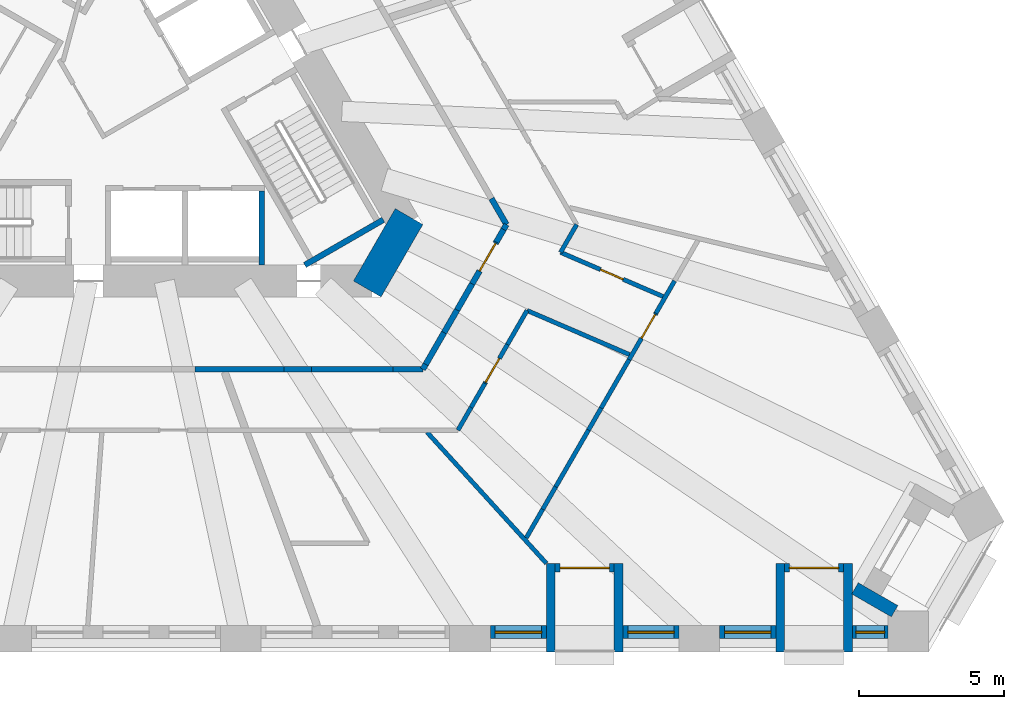
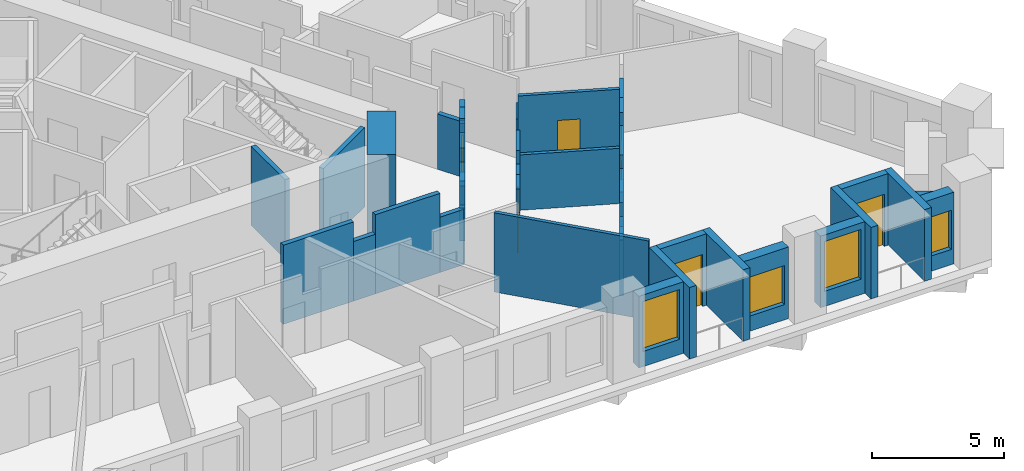
# One storey, part 6 of 14: 41 walls, 6 doors, 4 windows, 10 openings.
"""IFC4 building model written with IfcOpenShell, lengths in metres."""

from ifc_helpers import new_model, si_unit, direction, frame, frame_2d, origin, place, context, subcontext, project, spatial, polyline, rectangle, outline, extrude, material, layer, layer_set, type_object, element, fill, save


model = new_model("IFC4")

# Units and contexts
model_context = context("Model", 3, precision=1e-05, world=origin(), true_north=direction((0.0, 1.0)))
body_context = subcontext(model_context, "Body", "Model", "MODEL_VIEW")
ifc_project = project(units=[si_unit("LENGTHUNIT", "METRE"), si_unit("AREAUNIT", "SQUARE_METRE"), si_unit("VOLUMEUNIT", "CUBIC_METRE"), si_unit("PLANEANGLEUNIT", "RADIAN"), si_unit("MASSUNIT", "GRAM", prefix="KILO")], contexts=[model_context])

# Site, building, storey
site_placement = place(None, origin())
site = spatial("IfcSite", under=ifc_project, at=site_placement, CompositionType="ELEMENT")
building_placement = place(site_placement, origin())
building = spatial("IfcBuilding", under=site, at=building_placement, Name="Tramontana Tower", CompositionType="ELEMENT")
storey_placement = place(building_placement, frame((0.0, 0.0, 42.0)))
storey = spatial("IfcBuildingStorey", under=building, at=storey_placement, Name="L08", CompositionType="ELEMENT", Elevation=42.0)

# Walls
ifc_material_1 = material(Name="Concrete 70 MPa", Category="concrete")
ifc_layer_1 = layer(ifc_material_1, 1.10009765625)
ifc_layer_set_1 = layer_set([ifc_layer_1], Name="Core wall 1100 70 MPa")
wall_type_1 = type_object("IfcWallType", Name="Core wall 1100 70 MPa", PredefinedType="SHEAR", material=ifc_layer_set_1)
wall_1_placement = place(storey_placement, frame((8.328369140625, -6.47509765625, 0.0), z_axis=(0.0, 0.0, 1.0), x_axis=(0.499995765644, 0.866027848477, 0.0)))
element("IfcWall", 1, at=wall_1_placement, inside=storey, type_object=wall_type_1, Name="Core wall C4 L08", PredefinedType="SHEAR", context=body_context, shape_type="SweptSolid", body=[
    extrude(rectangle(XDim=2.88671875, YDim=1.10009765625, at=frame_2d((1.443359375, 0.0))), origin(), (0.0, 0.0, 1.0), 4.0),
])
ifc_material_2 = material(Name="Blockwork", Category="masonry")
ifc_layer_2 = layer(ifc_material_2, 0.199951171875)
ifc_layer_set_2 = layer_set([ifc_layer_2], Name="ENTRY WALL 200")
wall_type_2 = type_object("IfcWallType", Name="ENTRY WALL 200", PredefinedType="SOLIDWALL", material=ifc_layer_set_2)
wall_2_placement = place(storey_placement, frame((12.616943359375, -3.353515625, 0.0), z_axis=(0.0, 0.0, 1.0), x_axis=(0.500171514983, -0.865926356915, 0.0)))
element("IfcWall", 2, at=wall_2_placement, inside=storey, type_object=wall_type_2, Name="Wall v02-ew0-10", PredefinedType="SOLIDWALL", context=body_context, shape_type="SweptSolid", body=[
    extrude(rectangle(XDim=1.035400390625, YDim=0.199951171875, at=frame_2d((0.517578125, 0.0))), origin(), (0.0, 0.0, 1.0), 2.550048828125),
])
wall_3_placement = place(storey_placement, frame((13.134765625, -4.25, 0.0), z_axis=(0.0, 0.0, 1.0), x_axis=(-0.499865263774, -0.866103179807, 0.0)))
element("IfcWall", 3, at=wall_3_placement, inside=storey, type_object=wall_type_2, Name="Wall v02-ew1-0", PredefinedType="SOLIDWALL", context=body_context, shape_type="SweptSolid", body=[
    extrude(rectangle(XDim=0.197265625, YDim=0.199951171875, at=frame_2d((0.0986328125, 0.0))), origin(), (0.0, 0.0, 1.0), 2.550048828125),
])
wall_4_placement = place(storey_placement, frame((13.0361328125, -4.4208984375, 0.0), z_axis=(0.0, 0.0, 1.0), x_axis=(-0.499931517724, -0.866064938435, 0.0)))
element("IfcWall", 4, at=wall_4_placement, inside=storey, type_object=wall_type_2, Name="Wall v02-ew1-1", PredefinedType="SOLIDWALL", context=body_context, shape_type="SweptSolid", body=[
    extrude(rectangle(XDim=0.50537109375, YDim=0.199951171875, at=frame_2d((0.252685546875, 0.0))), origin(), (0.0, 0.0, 1.0), 3.64990234375),
])

# Wall, opening, door
wall_5_placement = place(storey_placement, frame((11.951416015625, -6.29931640625, 0.0), z_axis=(0.0, 0.0, 1.0), x_axis=(0.50011622646, 0.865958290007, 0.0)))
wall_5 = element("IfcWall", 5, at=wall_5_placement, inside=storey, type_object=wall_type_2, Name="Wall v02-ew1-2", PredefinedType="SOLIDWALL", context=body_context, shape_type="SweptSolid", body=[
    extrude(outline(polyline([(0.0, 0.0), (1.66357421875, 0.0), (1.663818359375, 3.64990234375), (0.90234375, 3.64990234375), (0.90234375, 2.550048828125), (0.0, 2.550048828125), (0.0, 0.0)])), frame((0.0, 0.10009765625, 0.0), z_axis=(0.0, -1.0, 0.0), x_axis=(1.0, 0.0, 0.0)), (0.0, 0.0, 1.0), 0.199951171875),
])
opening_1_placement = place(wall_5_placement, frame((0.513671875, 0.0, 0.0)))
opening_1 = element("IfcOpeningElement", 6, at=opening_1_placement, cuts=wall_5, Name="Opening B0C-29", PredefinedType="OPENING", context=body_context, shape_type="SweptSolid", body=[
    extrude(rectangle(XDim=1.10009765625, YDim=2.39990234375, at=frame_2d((0.550048828125, 1.199951171875))), frame((0.0, 0.10986328125, 0.0), z_axis=(0.0, -1.0, 0.0), x_axis=(1.0, 0.0, 0.0)), (0.0, 0.0, 1.0), 0.219970703125),
])
ifc_material_3 = material(Name="Painted timber", Category="wood")
door_type_1 = type_object("IfcDoorType", Name="DOOR ENTRY 1100", OperationType="SINGLE_SWING_LEFT", PredefinedType="DOOR", material=ifc_material_3)
door_1_placement = place(opening_1_placement, origin())
door_1 = element("IfcDoor", 7, at=door_1_placement, inside=storey, type_object=door_type_1, Name="Door B0C-29", OperationType="SINGLE_SWING_LEFT", OverallHeight=2.39990234375, OverallWidth=1.10009765625, PredefinedType="DOOR", context=body_context, shape_type="SweptSolid", body=[
    extrude(rectangle(XDim=1.10009765625, YDim=2.39990234375, at=frame_2d((0.550048828125, 1.199951171875))), frame((0.0, 0.02490234375, 0.0), z_axis=(0.0, -1.0, 0.0), x_axis=(1.0, 0.0, 0.0)), (0.0, 0.0, 1.0), 0.050048828125),
])
fill(opening_1, door_1)

# Walls
wall_6_placement = place(storey_placement, frame((11.951416015625, -6.29931640625, 0.0), z_axis=(0.0, 0.0, 1.0), x_axis=(-0.499898446243, -0.866084027935, 0.0)))
element("IfcWall", 8, at=wall_6_placement, inside=storey, type_object=wall_type_2, Name="Wall v02-ew1-3", PredefinedType="SOLIDWALL", context=body_context, shape_type="SweptSolid", body=[
    extrude(rectangle(XDim=1.040771484375, YDim=0.199951171875, at=frame_2d((0.5205078125, 0.0))), origin(), (0.0, 0.0, 1.0), 3.64990234375),
])
wall_7_placement = place(storey_placement, frame((11.43115234375, -7.20068359375, 0.0), z_axis=(0.0, 0.0, 1.0), x_axis=(-0.500097243556, -0.865969252911, 0.0)))
element("IfcWall", 9, at=wall_7_placement, inside=storey, type_object=wall_type_2, Name="Wall v02-ew1-4", PredefinedType="SOLIDWALL", context=body_context, shape_type="SweptSolid", body=[
    extrude(rectangle(XDim=0.902099609375, YDim=0.199951171875, at=frame_2d((0.451171875, 0.0))), origin(), (0.0, 0.0, 1.0), 2.550048828125),
])
wall_8_placement = place(storey_placement, frame((10.97998046875, -7.98193359375, 0.0), z_axis=(0.0, 0.0, 1.0), x_axis=(-0.499911523785, -0.866076479525, 0.0)))
element("IfcWall", 10, at=wall_8_placement, inside=storey, type_object=wall_type_2, Name="Wall v02-ew1-5", PredefinedType="SOLIDWALL", context=body_context, shape_type="SweptSolid", body=[
    extrude(rectangle(XDim=1.266845703125, YDim=0.199951171875, at=frame_2d((0.63330078125, 0.0))), origin(), (0.0, 0.0, 1.0), 3.64990234375),
])
wall_9_placement = place(storey_placement, frame((10.3466796875, -9.0791015625, 0.0), z_axis=(0.0, 0.0, 1.0), x_axis=(-0.499865263774, -0.866103179807, 0.0)))
element("IfcWall", 11, at=wall_9_placement, inside=storey, type_object=wall_type_2, Name="Wall v02-ew1-6", PredefinedType="SOLIDWALL", context=body_context, shape_type="SweptSolid", body=[
    extrude(rectangle(XDim=0.197265625, YDim=0.199951171875, at=frame_2d((0.0986328125, 0.0))), origin(), (0.0, 0.0, 1.0), 2.550048828125),
])
wall_10_placement = place(storey_placement, frame((10.248046875, -9.25, 0.0), z_axis=(0.0, 0.0, 1.0), x_axis=(-1.0, 0.0, 0.0)))
element("IfcWall", 12, at=wall_10_placement, inside=storey, type_object=wall_type_2, Name="Wall v02-ew2-0", PredefinedType="SOLIDWALL", context=body_context, shape_type="SweptSolid", body=[
    extrude(rectangle(XDim=1.035400390625, YDim=0.199951171875, at=frame_2d((0.517578125, 0.0))), origin(), (0.0, 0.0, 1.0), 2.550048828125),
])
wall_11_placement = place(storey_placement, frame((9.212646484375, -9.25, 0.0), z_axis=(0.0, 0.0, 1.0), x_axis=(-1.0, 0.0, 0.0)))
element("IfcWall", 13, at=wall_11_placement, inside=storey, type_object=wall_type_2, Name="Wall v02-ew2-1", PredefinedType="SOLIDWALL", context=body_context, shape_type="SweptSolid", body=[
    extrude(rectangle(XDim=2.815185546875, YDim=0.199951171875, at=frame_2d((1.40771484375, 0.0))), origin(), (0.0, 0.0, 1.0), 3.64990234375),
])
wall_12_placement = place(storey_placement, frame((6.3974609375, -9.25, 0.0), z_axis=(0.0, 0.0, 1.0), x_axis=(-1.0, 0.0, 0.0)))
element("IfcWall", 14, at=wall_12_placement, inside=storey, type_object=wall_type_2, Name="Wall v02-ew2-2", PredefinedType="SOLIDWALL", context=body_context, shape_type="SweptSolid", body=[
    extrude(rectangle(XDim=0.949951171875, YDim=0.199951171875, at=frame_2d((0.47509765625, 0.0))), origin(), (0.0, 0.0, 1.0), 2.75),
])
wall_13_placement = place(storey_placement, frame((5.447509765625, -9.25, 0.0), z_axis=(0.0, 0.0, 1.0), x_axis=(-1.0, 0.0, 0.0)))
element("IfcWall", 15, at=wall_13_placement, inside=storey, type_object=wall_type_2, Name="Wall v02-ew2-3", PredefinedType="SOLIDWALL", context=body_context, shape_type="SweptSolid", body=[
    extrude(rectangle(XDim=3.064453125, YDim=0.199951171875, at=frame_2d((1.5322265625, 0.0))), origin(), (0.0, 0.0, 1.0), 3.64990234375),
])

# Wall, opening, window
ifc_material_4 = material(Name="Precast concrete 60 MPa", Category="concrete")
ifc_layer_3 = layer(ifc_material_4, 0.449951171875)
ifc_layer_set_3 = layer_set([ifc_layer_3], Name="Precast concrete 60 MPa, 450 mm")
wall_type_3 = type_object("IfcWallType", Name="EW1 Stone-faced precast wall 450", PredefinedType="SOLIDWALL", material=ifc_layer_set_3)
wall_14_placement = place(storey_placement, frame((12.576904296875, -18.324951171875, 0.0), z_axis=(0.0, 0.0, 1.0), x_axis=(1.0, 0.0, 0.0)))
wall_14 = element("IfcWall", 16, at=wall_14_placement, inside=storey, type_object=wall_type_3, Name="External wall L08 face 1 bay 6", PredefinedType="SOLIDWALL", context=body_context, shape_type="SweptSolid", body=[
    extrude(rectangle(XDim=1.939208984375, YDim=0.449951171875, at=frame_2d((0.9697265625, 0.0))), origin(), (0.0, 0.0, 1.0), 3.300048828125),
])
opening_2_placement = place(wall_14_placement, frame((0.169677734375, 0.0, 0.699951171875)))
opening_2 = element("IfcOpeningElement", 17, at=opening_2_placement, cuts=wall_14, Name="Opening M1", PredefinedType="OPENING", context=body_context, shape_type="SweptSolid", body=[
    extrude(rectangle(XDim=1.60009765625, YDim=2.300048828125, at=frame_2d((0.800048828125, 1.14990234375))), frame((0.0, 0.23486328125, 0.0), z_axis=(0.0, -1.0, 0.0), x_axis=(1.0, 0.0, 0.0)), (0.0, 0.0, 1.0), 0.469970703125),
])
ifc_material_5 = material(Name="Aluminum frame, double glazing unit", Category="aluminium")
window_type_1 = type_object("IfcWindowType", Name="M1 Window 1.6 x 2.3", PartitioningType="SINGLE_PANEL", PredefinedType="WINDOW", material=ifc_material_5)
window_1_placement = place(opening_2_placement, origin())
window_1 = element("IfcWindow", 18, at=window_1_placement, inside=storey, type_object=window_type_1, Name="Window M1 L08 face 1 module 16", OverallHeight=2.300048828125, OverallWidth=1.60009765625, PartitioningType="SINGLE_PANEL", PredefinedType="WINDOW", context=body_context, shape_type="SweptSolid", body=[
    extrude(rectangle(XDim=1.60009765625, YDim=2.300048828125, at=frame_2d((0.800048828125, 1.14990234375))), frame((0.0, 0.030029296875, 0.0), z_axis=(0.0, -1.0, 0.0), x_axis=(1.0, 0.0, 0.0)), (0.0, 0.0, 1.0), 0.06005859375),
])
fill(opening_2, window_1)

wall_15_placement = place(storey_placement, frame((17.155517578125, -18.324951171875, 0.0), z_axis=(0.0, 0.0, 1.0), x_axis=(1.0, 0.0, 0.0)))
wall_15 = element("IfcWall", 19, at=wall_15_placement, inside=storey, type_object=wall_type_3, Name="External wall L08 face 1 bay 6", PredefinedType="SOLIDWALL", context=body_context, shape_type="SweptSolid", body=[
    extrude(rectangle(XDim=1.939453125, YDim=0.449951171875, at=frame_2d((0.9697265625, 0.0))), origin(), (0.0, 0.0, 1.0), 3.300048828125),
])
opening_3_placement = place(wall_15_placement, frame((0.169677734375, 0.0, 0.699951171875)))
opening_3 = element("IfcOpeningElement", 20, at=opening_3_placement, cuts=wall_15, Name="Opening M1L", PredefinedType="OPENING", context=body_context, shape_type="SweptSolid", body=[
    extrude(rectangle(XDim=1.60009765625, YDim=1.800048828125, at=frame_2d((0.800048828125, 0.89990234375))), frame((0.0, 0.23486328125, 0.0), z_axis=(0.0, -1.0, 0.0), x_axis=(1.0, 0.0, 0.0)), (0.0, 0.0, 1.0), 0.469970703125),
])
ifc_material_6 = material(Name="Aluminum frame, double glazing unit", Category="aluminium")
window_type_2 = type_object("IfcWindowType", Name="M1L Window 1.6 x 1.8", PartitioningType="SINGLE_PANEL", PredefinedType="WINDOW", material=ifc_material_6)
window_2_placement = place(opening_3_placement, origin())
window_2 = element("IfcWindow", 21, at=window_2_placement, inside=storey, type_object=window_type_2, Name="Window M1L L08 face 1 module 18", OverallHeight=1.800048828125, OverallWidth=1.60009765625, PartitioningType="SINGLE_PANEL", PredefinedType="WINDOW", context=body_context, shape_type="SweptSolid", body=[
    extrude(rectangle(XDim=1.60009765625, YDim=1.800048828125, at=frame_2d((0.800048828125, 0.89990234375))), frame((0.0, 0.030029296875, 0.0), z_axis=(0.0, -1.0, 0.0), x_axis=(1.0, 0.0, 0.0)), (0.0, 0.0, 1.0), 0.06005859375),
])
fill(opening_3, window_2)

wall_16_placement = place(storey_placement, frame((20.494873046875, -18.324951171875, 0.0), z_axis=(0.0, 0.0, 1.0), x_axis=(1.0, 0.0, 0.0)))
wall_16 = element("IfcWall", 22, at=wall_16_placement, inside=storey, type_object=wall_type_3, Name="External wall L08 face 1 bay 7", PredefinedType="SOLIDWALL", context=body_context, shape_type="SweptSolid", body=[
    extrude(rectangle(XDim=1.939208984375, YDim=0.449951171875, at=frame_2d((0.9697265625, 0.0))), origin(), (0.0, 0.0, 1.0), 3.300048828125),
])
opening_4_placement = place(wall_16_placement, frame((0.169677734375, 0.0, 0.699951171875)))
opening_4 = element("IfcOpeningElement", 23, at=opening_4_placement, cuts=wall_16, Name="Opening M1", PredefinedType="OPENING", context=body_context, shape_type="SweptSolid", body=[
    extrude(rectangle(XDim=1.60009765625, YDim=2.300048828125, at=frame_2d((0.800048828125, 1.14990234375))), frame((0.0, 0.23486328125, 0.0), z_axis=(0.0, -1.0, 0.0), x_axis=(1.0, 0.0, 0.0)), (0.0, 0.0, 1.0), 0.469970703125),
])
window_3_placement = place(opening_4_placement, origin())
window_3 = element("IfcWindow", 24, at=window_3_placement, inside=storey, type_object=window_type_1, Name="Window M1 L08 face 1 module 19", OverallHeight=2.300048828125, OverallWidth=1.60009765625, PartitioningType="SINGLE_PANEL", PredefinedType="WINDOW", context=body_context, shape_type="SweptSolid", body=[
    extrude(rectangle(XDim=1.60009765625, YDim=2.300048828125, at=frame_2d((0.800048828125, 1.14990234375))), frame((0.0, 0.030029296875, 0.0), z_axis=(0.0, -1.0, 0.0), x_axis=(1.0, 0.0, 0.0)), (0.0, 0.0, 1.0), 0.06005859375),
])
fill(opening_4, window_3)

wall_17_placement = place(storey_placement, frame((25.073486328125, -18.324951171875, 0.0), z_axis=(0.0, 0.0, 1.0), x_axis=(1.0, 0.0, 0.0)))
wall_17 = element("IfcWall", 25, at=wall_17_placement, inside=storey, type_object=wall_type_3, Name="External wall L08 face 1 bay 7", PredefinedType="SOLIDWALL", context=body_context, shape_type="SweptSolid", body=[
    extrude(rectangle(XDim=1.2392578125, YDim=0.449951171875, at=frame_2d((0.61962890625, 0.0))), origin(), (0.0, 0.0, 1.0), 3.300048828125),
])
opening_5_placement = place(wall_17_placement, frame((0.11962890625, 0.0, 0.699951171875)))
opening_5 = element("IfcOpeningElement", 26, at=opening_5_placement, cuts=wall_17, Name="Opening N1L", PredefinedType="OPENING", context=body_context, shape_type="SweptSolid", body=[
    extrude(rectangle(XDim=1.0, YDim=1.800048828125, at=frame_2d((0.5, 0.89990234375))), frame((0.0, 0.23486328125, 0.0), z_axis=(0.0, -1.0, 0.0), x_axis=(1.0, 0.0, 0.0)), (0.0, 0.0, 1.0), 0.469970703125),
])
ifc_material_7 = material(Name="Aluminum frame, double glazing unit", Category="aluminium")
window_type_3 = type_object("IfcWindowType", Name="N1L Window 1 x 1.8", PartitioningType="SINGLE_PANEL", PredefinedType="WINDOW", material=ifc_material_7)
window_4_placement = place(opening_5_placement, origin())
window_4 = element("IfcWindow", 27, at=window_4_placement, inside=storey, type_object=window_type_3, Name="Window N1L L08 face 1 module 21", OverallHeight=1.800048828125, OverallWidth=1.0, PartitioningType="SINGLE_PANEL", PredefinedType="WINDOW", context=body_context, shape_type="SweptSolid", body=[
    extrude(rectangle(XDim=1.0, YDim=1.800048828125, at=frame_2d((0.5, 0.89990234375))), frame((0.0, 0.030029296875, 0.0), z_axis=(0.0, -1.0, 0.0), x_axis=(1.0, 0.0, 0.0)), (0.0, 0.0, 1.0), 0.06005859375),
])
fill(opening_5, window_4)

# Wall
wall_18_placement = place(storey_placement, frame((26.5341796875, -17.60009765625, 0.0), z_axis=(0.0, 0.0, 1.0), x_axis=(-0.86597962928, 0.500079275387, 0.0)))
element("IfcWall", 28, at=wall_18_placement, inside=storey, type_object=wall_type_3, Name="Corner loggia side wall L08 K02r", PredefinedType="SOLIDWALL", context=body_context, shape_type="SweptSolid", body=[
    extrude(rectangle(XDim=1.579345703125, YDim=0.449951171875, at=frame_2d((0.78955078125, 0.0))), origin(), (0.0, 0.0, 1.0), 2.550048828125),
])

# Wall, opening, door
ifc_material_8 = material(Name="Precast concrete 60 MPa", Category="concrete")
ifc_layer_4 = layer(ifc_material_8, 0.300048828125)
ifc_layer_set_4 = layer_set([ifc_layer_4], Name="LW1 Stone-faced loggia wall 300")
wall_type_4 = type_object("IfcWallType", Name="LW1 Stone-faced loggia wall 300", PredefinedType="SOLIDWALL", material=ifc_layer_set_4)
wall_19_placement = place(storey_placement, frame((14.816162109375, -16.10009765625, 0.0), z_axis=(0.0, 0.0, 1.0), x_axis=(1.0, 0.0, 0.0)))
wall_19 = element("IfcWall", 29, at=wall_19_placement, inside=storey, type_object=wall_type_4, Name="Loggia wall L08 G0S1.16", PredefinedType="SOLIDWALL", context=body_context, shape_type="SweptSolid", body=[
    extrude(rectangle(XDim=2.039306640625, YDim=0.300048828125, at=frame_2d((1.01953125, 0.0))), origin(), (0.0, 0.0, 1.0), 3.300048828125),
])
opening_6_placement = place(wall_19_placement, frame((0.169677734375, 0.0, 0.0)))
opening_6 = element("IfcOpeningElement", 30, at=opening_6_placement, cuts=wall_19, Name="Opening BD-0S1-16", PredefinedType="OPENING", context=body_context, shape_type="SweptSolid", body=[
    extrude(rectangle(XDim=1.699951171875, YDim=2.39990234375, at=frame_2d((0.85009765625, 1.199951171875))), frame((0.0, 0.159912109375, 0.0), z_axis=(0.0, -1.0, 0.0), x_axis=(1.0, 0.0, 0.0)), (0.0, 0.0, 1.0), 0.320068359375),
])
ifc_material_9 = material(Name="Aluminum frame, double glazing unit", Category="aluminium")
door_type_2 = type_object("IfcDoorType", Name="BD1 Sliding door 1.7 x 2.4", OperationType="SLIDING_TO_LEFT", PredefinedType="DOOR", material=ifc_material_9)
door_2_placement = place(opening_6_placement, origin())
door_2 = element("IfcDoor", 31, at=door_2_placement, inside=storey, type_object=door_type_2, Name="Loggia door L08 G0S1.16", OperationType="SLIDING_TO_LEFT", OverallHeight=2.39990234375, OverallWidth=1.699951171875, PredefinedType="DOOR", context=body_context, shape_type="SweptSolid", body=[
    extrude(rectangle(XDim=1.699951171875, YDim=2.39990234375, at=frame_2d((0.85009765625, 1.199951171875))), frame((0.0, 0.02490234375, 0.0), z_axis=(0.0, -1.0, 0.0), x_axis=(1.0, 0.0, 0.0)), (0.0, 0.0, 1.0), 0.050048828125),
])
fill(opening_6, door_2)

# Walls
for number, where, z_axis, x_axis, name in (
    (32, (14.666259765625, -19.0, 0.0), (0.0, 0.0, 1.0), (0.0, 1.0, 0.0), "Loggia return L08 G0S1.16a"),
    (33, (17.005615234375, -19.0, 0.0), (0.0, 0.0, 1.0), (0.0, 1.0, 0.0), "Loggia return L08 G0S1.16b"),
):
    element("IfcWall", number, at=place(storey_placement, frame(where, z_axis=z_axis, x_axis=x_axis)), inside=storey, type_object=wall_type_4, Name=name, PredefinedType="SOLIDWALL", context=body_context, shape_type="SweptSolid", body=[
        extrude(rectangle(XDim=3.050048828125, YDim=0.300048828125, at=frame_2d((1.52490234375, 0.0))), origin(), (0.0, 0.0, 1.0), 3.300048828125),
    ])

# Wall, opening, door
wall_20_placement = place(storey_placement, frame((22.734130859375, -16.10009765625, 0.0), z_axis=(0.0, 0.0, 1.0), x_axis=(1.0, 0.0, 0.0)))
wall_20 = element("IfcWall", 34, at=wall_20_placement, inside=storey, type_object=wall_type_4, Name="Loggia wall L08 G0S1.19", PredefinedType="SOLIDWALL", context=body_context, shape_type="SweptSolid", body=[
    extrude(rectangle(XDim=2.039306640625, YDim=0.300048828125, at=frame_2d((1.01953125, 0.0))), origin(), (0.0, 0.0, 1.0), 3.300048828125),
])
opening_7_placement = place(wall_20_placement, frame((0.169677734375, 0.0, 0.0)))
opening_7 = element("IfcOpeningElement", 35, at=opening_7_placement, cuts=wall_20, Name="Opening BD-0S1-19", PredefinedType="OPENING", context=body_context, shape_type="SweptSolid", body=[
    extrude(rectangle(XDim=1.699951171875, YDim=2.39990234375, at=frame_2d((0.85009765625, 1.199951171875))), frame((0.0, 0.159912109375, 0.0), z_axis=(0.0, -1.0, 0.0), x_axis=(1.0, 0.0, 0.0)), (0.0, 0.0, 1.0), 0.320068359375),
])
door_3_placement = place(opening_7_placement, origin())
door_3 = element("IfcDoor", 36, at=door_3_placement, inside=storey, type_object=door_type_2, Name="Loggia door L08 G0S1.19", OperationType="SLIDING_TO_LEFT", OverallHeight=2.39990234375, OverallWidth=1.699951171875, PredefinedType="DOOR", context=body_context, shape_type="SweptSolid", body=[
    extrude(rectangle(XDim=1.699951171875, YDim=2.39990234375, at=frame_2d((0.85009765625, 1.199951171875))), frame((0.0, 0.02490234375, 0.0), z_axis=(0.0, -1.0, 0.0), x_axis=(1.0, 0.0, 0.0)), (0.0, 0.0, 1.0), 0.050048828125),
])
fill(opening_7, door_3)

# Walls
for number, where, z_axis, x_axis, name in (
    (37, (22.584228515625, -19.0, 0.0), (0.0, 0.0, 1.0), (0.0, 1.0, 0.0), "Loggia return L08 G0S1.19a"),
    (38, (24.923583984375, -19.0, 0.0), (0.0, 0.0, 1.0), (0.0, 1.0, 0.0), "Loggia return L08 G0S1.19b"),
):
    element("IfcWall", number, at=place(storey_placement, frame(where, z_axis=z_axis, x_axis=x_axis)), inside=storey, type_object=wall_type_4, Name=name, PredefinedType="SOLIDWALL", context=body_context, shape_type="SweptSolid", body=[
        extrude(rectangle(XDim=3.050048828125, YDim=0.300048828125, at=frame_2d((1.52490234375, 0.0))), origin(), (0.0, 0.0, 1.0), 3.300048828125),
    ])
ifc_material_10 = material(Name="Gypsum board partition")
ifc_layer_5 = layer(ifc_material_10, 0.14990234375)
ifc_layer_set_5 = layer_set([ifc_layer_5], Name="PARTITION 150")
wall_type_5 = type_object("IfcWallType", Name="PARTITION 150", PredefinedType="PARTITIONING", material=ifc_layer_set_5)
wall_21_placement = place(storey_placement, frame((13.84619140625, -7.217529296875, 0.0), z_axis=(0.0, 0.0, 1.0), x_axis=(-0.499971721724, -0.866041729639, 0.0)))
element("IfcWall", 39, at=wall_21_placement, inside=storey, type_object=wall_type_5, Name="Wall v02-pw39-0", PredefinedType="PARTITIONING", context=body_context, shape_type="SweptSolid", body=[
    extrude(rectangle(XDim=1.3564453125, YDim=0.14990234375, at=frame_2d((0.67822265625, 0.0))), origin(), (0.0, 0.0, 1.0), 3.64990234375),
])

# Wall, opening, door
wall_22_placement = place(storey_placement, frame((13.16796875, -8.392333984375, 0.0), z_axis=(0.0, 0.0, 1.0), x_axis=(-0.499939993713, -0.866060045659, 0.0)))
wall_22 = element("IfcWall", 40, at=wall_22_placement, inside=storey, type_object=wall_type_5, Name="Wall v02-pw39-1", PredefinedType="PARTITIONING", context=body_context, shape_type="SweptSolid", body=[
    extrude(outline(polyline([(0.0, 0.0), (1.554443359375, 0.0), (1.554443359375, 3.64990234375), (0.877197265625, 3.64990234375), (0.877197265625, 2.550048828125), (0.0, 2.550048828125), (0.0, 0.0)])), frame((0.0, 0.074951171875, 0.0), z_axis=(0.0, -1.0, 0.0), x_axis=(1.0, 0.0, 0.0)), (0.0, 0.0, 1.0), 0.14990234375),
])
opening_8_placement = place(wall_22_placement, frame((0.554443359375, 0.0, 0.0)))
opening_8 = element("IfcOpeningElement", 41, at=opening_8_placement, cuts=wall_22, Name="Opening B0C-20", PredefinedType="OPENING", context=body_context, shape_type="SweptSolid", body=[
    extrude(rectangle(XDim=0.949951171875, YDim=2.39990234375, at=frame_2d((0.47509765625, 1.199951171875))), frame((0.0, 0.0849609375, 0.0), z_axis=(0.0, -1.0, 0.0), x_axis=(1.0, 0.0, 0.0)), (0.0, 0.0, 1.0), 0.169921875),
])
ifc_material_11 = material(Name="Painted timber", Category="wood")
door_type_3 = type_object("IfcDoorType", Name="DOOR ROOM 950", OperationType="SINGLE_SWING_LEFT", PredefinedType="DOOR", material=ifc_material_11)
door_4_placement = place(opening_8_placement, origin())
door_4 = element("IfcDoor", 42, at=door_4_placement, inside=storey, type_object=door_type_3, Name="Door B0C-20", OperationType="SINGLE_SWING_RIGHT", OverallHeight=2.39990234375, OverallWidth=0.949951171875, PredefinedType="DOOR", context=body_context, shape_type="SweptSolid", body=[
    extrude(rectangle(XDim=0.949951171875, YDim=2.39990234375, at=frame_2d((0.47509765625, 1.199951171875))), frame((0.0, 0.02490234375, 0.0), z_axis=(0.0, -1.0, 0.0), x_axis=(1.0, 0.0, 0.0)), (0.0, 0.0, 1.0), 0.050048828125),
])
fill(opening_8, door_4)

# Walls
wall_23_placement = place(storey_placement, frame((12.390869140625, -9.738525390625, 0.0), z_axis=(0.0, 0.0, 1.0), x_axis=(-0.500128417272, -0.865951249342, 0.0)))
element("IfcWall", 43, at=wall_23_placement, inside=storey, type_object=wall_type_5, Name="Wall v02-pw39-2", PredefinedType="PARTITIONING", context=body_context, shape_type="SweptSolid", body=[
    extrude(rectangle(XDim=0.954345703125, YDim=0.14990234375, at=frame_2d((0.47705078125, 0.0))), origin(), (0.0, 0.0, 1.0), 3.64990234375),
])
wall_24_placement = place(storey_placement, frame((11.91357421875, -10.56494140625, 0.0), z_axis=(0.0, 0.0, 1.0), x_axis=(-0.499846793097, -0.866113839764, 0.0)))
element("IfcWall", 44, at=wall_24_placement, inside=storey, type_object=wall_type_5, Name="Wall v02-pw39-3", PredefinedType="PARTITIONING", context=body_context, shape_type="SweptSolid", body=[
    extrude(rectangle(XDim=0.906494140625, YDim=0.14990234375, at=frame_2d((0.453125, 0.0))), origin(), (0.0, 0.0, 1.0), 2.550048828125),
])
wall_25_placement = place(storey_placement, frame((14.51611328125, -15.949951171875, 0.0), z_axis=(0.0, 0.0, 1.0), x_axis=(-0.673085803797, 0.73956439931, 0.0)))
element("IfcWall", 45, at=wall_25_placement, inside=storey, type_object=wall_type_5, Name="Wall v02-pw40", PredefinedType="PARTITIONING", context=body_context, shape_type="SweptSolid", body=[
    extrude(rectangle(XDim=6.118408203125, YDim=0.14990234375, at=frame_2d((3.05908203125, 0.0))), origin(), (0.0, 0.0, 1.0), 3.64990234375),
])

# Wall, opening, door
wall_26_placement = place(storey_placement, frame((15.004150390625, -5.2119140625, 0.0), z_axis=(0.0, 0.0, 1.0), x_axis=(0.918389227488, -0.395678185946, 0.0)))
wall_26 = element("IfcWall", 46, at=wall_26_placement, inside=storey, type_object=wall_type_5, Name="Wall v02-pw41", PredefinedType="PARTITIONING", context=body_context, shape_type="SweptSolid", body=[
    extrude(rectangle(XDim=3.851318359375, YDim=0.14990234375, at=frame_2d((1.92578125, 0.0))), origin(), (0.0, 0.0, 1.0), 3.64990234375),
])
opening_9_placement = place(wall_26_placement, frame((1.500732421875, 0.0, 0.0)))
opening_9 = element("IfcOpeningElement", 47, at=opening_9_placement, cuts=wall_26, Name="Opening B0C-21", PredefinedType="OPENING", context=body_context, shape_type="SweptSolid", body=[
    extrude(rectangle(XDim=0.85009765625, YDim=2.39990234375, at=frame_2d((0.425048828125, 1.199951171875))), frame((0.0, 0.0849609375, 0.0), z_axis=(0.0, -1.0, 0.0), x_axis=(1.0, 0.0, 0.0)), (0.0, 0.0, 1.0), 0.169921875),
])
ifc_material_12 = material(Name="Painted timber", Category="wood")
door_type_4 = type_object("IfcDoorType", Name="DOOR BATH 850", OperationType="SINGLE_SWING_LEFT", PredefinedType="DOOR", material=ifc_material_12)
door_5_placement = place(opening_9_placement, origin())
door_5 = element("IfcDoor", 48, at=door_5_placement, inside=storey, type_object=door_type_4, Name="Door B0C-21", OperationType="SINGLE_SWING_LEFT", OverallHeight=2.39990234375, OverallWidth=0.85009765625, PredefinedType="DOOR", context=body_context, shape_type="SweptSolid", body=[
    extrude(rectangle(XDim=0.85009765625, YDim=2.39990234375, at=frame_2d((0.425048828125, 1.199951171875))), frame((0.0, 0.02490234375, 0.0), z_axis=(0.0, -1.0, 0.0), x_axis=(1.0, 0.0, 0.0)), (0.0, 0.0, 1.0), 0.050048828125),
])
fill(opening_9, door_5)

# Walls
wall_27_placement = place(storey_placement, frame((15.5595703125, -4.25, 0.0), z_axis=(0.0, 0.0, 1.0), x_axis=(-0.500039553057, -0.866002566612, 0.0)))
element("IfcWall", 49, at=wall_27_placement, inside=storey, type_object=wall_type_5, Name="Wall v02-pw44-0", PredefinedType="PARTITIONING", context=body_context, shape_type="SweptSolid", body=[
    extrude(rectangle(XDim=1.11083984375, YDim=0.14990234375, at=frame_2d((0.555419921875, 0.0))), origin(), (0.0, 0.0, 1.0), 2.550048828125),
])
wall_28_placement = place(storey_placement, frame((17.38330078125, -8.7412109375, 0.0), z_axis=(0.0, 0.0, 1.0), x_axis=(-0.918412261458, 0.395624718647, 0.0)))
element("IfcWall", 50, at=wall_28_placement, inside=storey, type_object=wall_type_5, Name="Wall v02-pw47-0", PredefinedType="PARTITIONING", context=body_context, shape_type="SweptSolid", body=[
    extrude(rectangle(XDim=3.851318359375, YDim=0.14990234375, at=frame_2d((1.92578125, 0.0))), origin(), (0.0, 0.0, 1.0), 2.550048828125),
])
wall_29_placement = place(storey_placement, frame((18.93896484375, -6.196533203125, 0.0), z_axis=(0.0, 0.0, 1.0), x_axis=(-0.499924472688, -0.866069005107, 0.0)))
element("IfcWall", 51, at=wall_29_placement, inside=storey, type_object=wall_type_5, Name="Wall v02-pw50-2", PredefinedType="PARTITIONING", context=body_context, shape_type="SweptSolid", body=[
    extrude(rectangle(XDim=1.290283203125, YDim=0.14990234375, at=frame_2d((0.64501953125, 0.0))), origin(), (0.0, 0.0, 1.0), 3.64990234375),
])

# Wall, opening, door
wall_30_placement = place(storey_placement, frame((18.2939453125, -7.31396484375, 0.0), z_axis=(0.0, 0.0, 1.0), x_axis=(-0.499989263917, -0.866031602176, 0.0)))
wall_30 = element("IfcWall", 52, at=wall_30_placement, inside=storey, type_object=wall_type_5, Name="Wall v02-pw50-3", PredefinedType="PARTITIONING", context=body_context, shape_type="SweptSolid", body=[
    extrude(outline(polyline([(0.0, 0.0), (1.84814453125, 0.0), (1.848388671875, 2.550048828125), (0.97119140625, 2.550048828125), (0.97119140625, 3.64990234375), (0.0, 3.64990234375), (0.0, 0.0)])), frame((0.0, 0.074951171875, 0.0), z_axis=(0.0, -1.0, 0.0), x_axis=(1.0, 0.0, 0.0)), (0.0, 0.0, 1.0), 0.14990234375),
])
opening_10_placement = place(wall_30_placement, frame((0.050048828125, 0.0, 0.0)))
opening_10 = element("IfcOpeningElement", 53, at=opening_10_placement, cuts=wall_30, Name="Opening B0C-22", PredefinedType="OPENING", context=body_context, shape_type="SweptSolid", body=[
    extrude(rectangle(XDim=0.949951171875, YDim=2.39990234375, at=frame_2d((0.47509765625, 1.199951171875))), frame((0.0, 0.0849609375, 0.0), z_axis=(0.0, -1.0, 0.0), x_axis=(1.0, 0.0, 0.0)), (0.0, 0.0, 1.0), 0.169921875),
])
door_6_placement = place(opening_10_placement, origin())
door_6 = element("IfcDoor", 54, at=door_6_placement, inside=storey, type_object=door_type_3, Name="Door B0C-22", OperationType="SINGLE_SWING_RIGHT", OverallHeight=2.39990234375, OverallWidth=0.949951171875, PredefinedType="DOOR", context=body_context, shape_type="SweptSolid", body=[
    extrude(rectangle(XDim=0.949951171875, YDim=2.39990234375, at=frame_2d((0.47509765625, 1.199951171875))), frame((0.0, 0.02490234375, 0.0), z_axis=(0.0, -1.0, 0.0), x_axis=(1.0, 0.0, 0.0)), (0.0, 0.0, 1.0), 0.050048828125),
])
fill(opening_10, door_6)

# Walls
wall_31_placement = place(storey_placement, frame((17.369873046875, -8.91455078125, 0.0), z_axis=(0.0, 0.0, 1.0), x_axis=(-0.499963437846, -0.866046511925, 0.0)))
element("IfcWall", 55, at=wall_31_placement, inside=storey, type_object=wall_type_5, Name="Wall v02-pw50-4", PredefinedType="PARTITIONING", context=body_context, shape_type="SweptSolid", body=[
    extrude(rectangle(XDim=1.929443359375, YDim=0.14990234375, at=frame_2d((0.96484375, 0.0))), origin(), (0.0, 0.0, 1.0), 3.64990234375),
])
wall_32_placement = place(storey_placement, frame((16.4052734375, -10.58544921875, 0.0), z_axis=(0.0, 0.0, 1.0), x_axis=(-0.500059680869, -0.865990944277, 0.0)))
element("IfcWall", 56, at=wall_32_placement, inside=storey, type_object=wall_type_5, Name="Wall v02-pw50-5", PredefinedType="PARTITIONING", context=body_context, shape_type="SweptSolid", body=[
    extrude(rectangle(XDim=0.87744140625, YDim=0.14990234375, at=frame_2d((0.438720703125, 0.0))), origin(), (0.0, 0.0, 1.0), 2.550048828125),
])
wall_33_placement = place(storey_placement, frame((15.966552734375, -11.34521484375, 0.0), z_axis=(0.0, 0.0, 1.0), x_axis=(-0.500005951055, -0.866021967914, 0.0)))
element("IfcWall", 57, at=wall_33_placement, inside=storey, type_object=wall_type_5, Name="Wall v02-pw50-6", PredefinedType="PARTITIONING", context=body_context, shape_type="SweptSolid", body=[
    extrude(rectangle(XDim=2.26123046875, YDim=0.14990234375, at=frame_2d((1.130615234375, 0.0))), origin(), (0.0, 0.0, 1.0), 3.64990234375),
])
wall_34_placement = place(storey_placement, frame((14.8359375, -13.303466796875, 0.0), z_axis=(0.0, 0.0, 1.0), x_axis=(-0.499996880198, -0.866027204995, 0.0)))
element("IfcWall", 58, at=wall_34_placement, inside=storey, type_object=wall_type_5, Name="Wall v02-pw50-7", PredefinedType="PARTITIONING", context=body_context, shape_type="SweptSolid", body=[
    extrude(rectangle(XDim=0.8984375, YDim=0.14990234375, at=frame_2d((0.44921875, 0.0))), origin(), (0.0, 0.0, 1.0), 2.550048828125),
])
wall_35_placement = place(storey_placement, frame((14.38671875, -14.08154296875, 0.0), z_axis=(0.0, 0.0, 1.0), x_axis=(-0.49991388125, -0.866075118759, 0.0)))
element("IfcWall", 59, at=wall_35_placement, inside=storey, type_object=wall_type_5, Name="Wall v02-pw50-8", PredefinedType="PARTITIONING", context=body_context, shape_type="SweptSolid", body=[
    extrude(rectangle(XDim=1.140869140625, YDim=0.14990234375, at=frame_2d((0.5703125, 0.0))), origin(), (0.0, 0.0, 1.0), 3.64990234375),
])
ifc_material_13 = material(Name="Concrete 70 MPa", Category="concrete")
ifc_layer_6 = layer(ifc_material_13, 0.199951171875)
ifc_layer_set_6 = layer_set([ifc_layer_6], Name="Concrete 70 MPa, 200 mm")
wall_type_6 = type_object("IfcWallType", Name="RC STAIR AND SHAFT WALL 200", PredefinedType="SOLIDWALL", material=ifc_layer_set_6)
wall_36_placement = place(storey_placement, frame((6.173828125, -5.64990234375, 0.0), z_axis=(0.0, 0.0, 1.0), x_axis=(0.866054327916, 0.499949898588, 0.0)))
element("IfcWall", 60, at=wall_36_placement, inside=storey, type_object=wall_type_6, Name="Wall st3-far", PredefinedType="SOLIDWALL", context=body_context, shape_type="SweptSolid", body=[
    extrude(rectangle(XDim=3.128173828125, YDim=0.199951171875, at=frame_2d((1.56396484375, 0.0))), origin(), (0.0, 0.0, 1.0), 3.64990234375),
])
wall_37_placement = place(storey_placement, frame((4.68994140625, -3.10009765625, 0.0), z_axis=(0.0, 0.0, 1.0), x_axis=(0.0, -1.0, 0.0)))
element("IfcWall", 61, at=wall_37_placement, inside=storey, type_object=wall_type_6, Name="Wall row1-side2", PredefinedType="SOLIDWALL", context=body_context, shape_type="SweptSolid", body=[
    extrude(rectangle(XDim=2.5498046875, YDim=0.199951171875, at=frame_2d((1.27490234375, 0.0))), origin(), (0.0, 0.0, 1.0), 3.64990234375),
])

save(model, "model.ifc")
